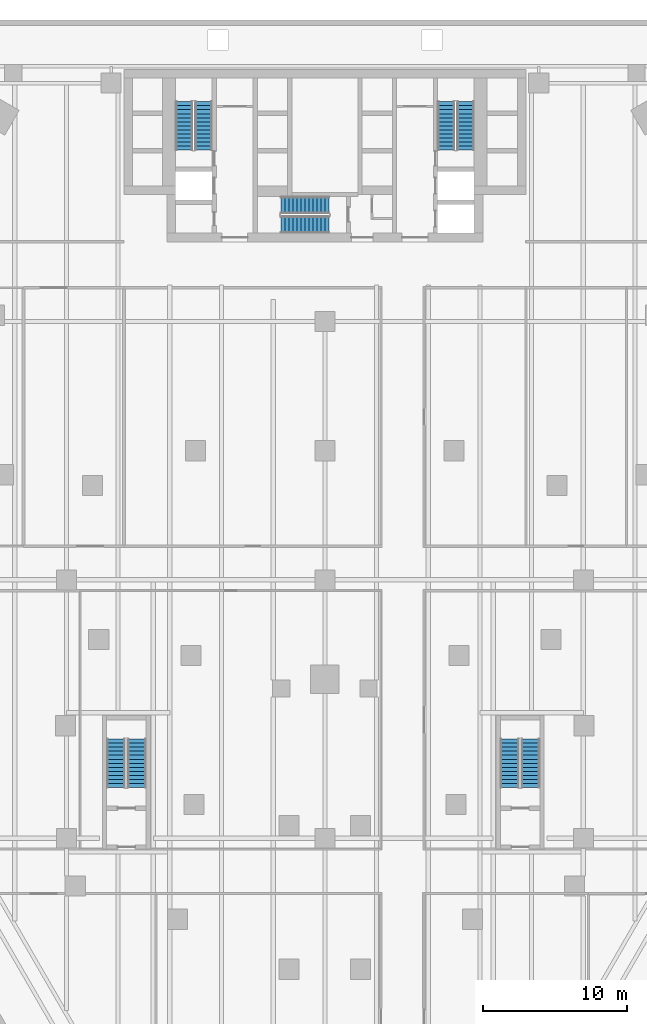
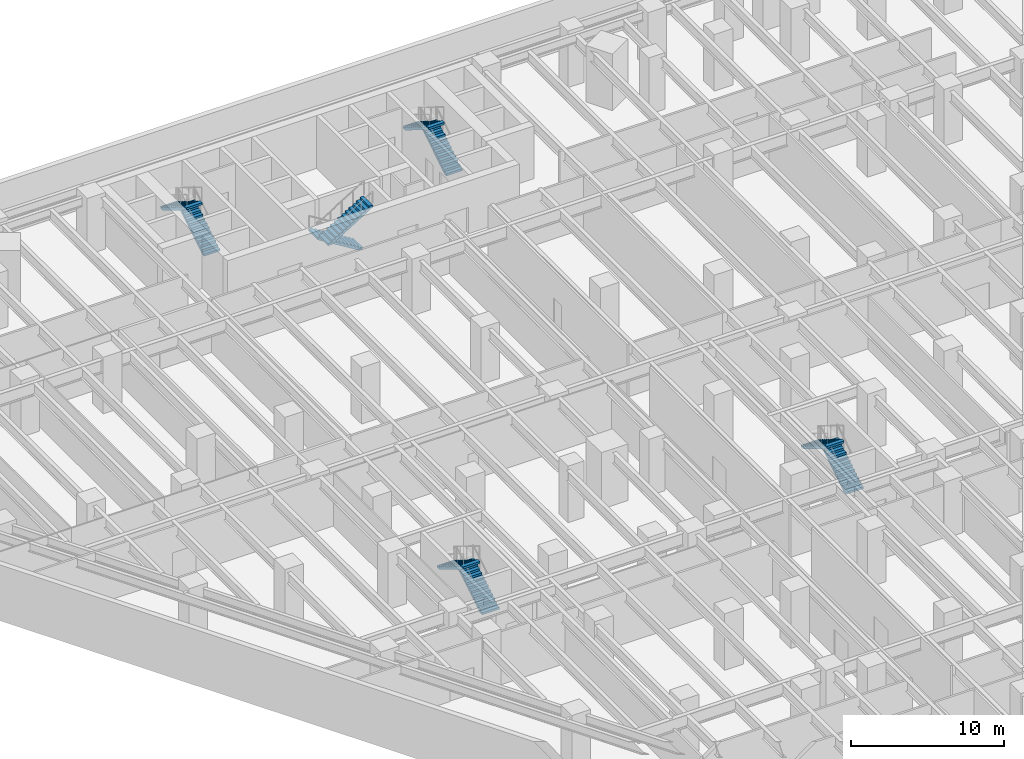
# One storey, part 18 of 20: 10 stair flights, 5 elements without a shape of their own.
"""IFC4 building model written with IfcOpenShell, lengths in metres."""

from ifc_helpers import new_model, si_unit, direction, frame, origin, place, context, subcontext, project, spatial, polyline, outline, extrude, material, type_object, element, aggregate, save


model = new_model("IFC4")

# Units and contexts
model_context = context("Model", 3, precision=1e-05, world=origin(), true_north=direction((0.0, 1.0)))
body_context = subcontext(model_context, "Body", "Model", "MODEL_VIEW")
ifc_project = project(units=[si_unit("LENGTHUNIT", "METRE"), si_unit("AREAUNIT", "SQUARE_METRE"), si_unit("VOLUMEUNIT", "CUBIC_METRE"), si_unit("PLANEANGLEUNIT", "RADIAN"), si_unit("MASSUNIT", "GRAM", prefix="KILO")], contexts=[model_context])

# Site, building, storey
site_placement = place(None, origin())
site = spatial("IfcSite", under=ifc_project, at=site_placement, CompositionType="ELEMENT")
building_placement = place(site_placement, origin())
building = spatial("IfcBuilding", under=site, at=building_placement, Name="Aloe Facet Convention Tower", CompositionType="ELEMENT")
storey_placement = place(building_placement, frame((0.0, 0.0, -4.5)))
storey = spatial("IfcBuildingStorey", under=building, at=storey_placement, Name="B1", CompositionType="ELEMENT", Elevation=-4.5)

# Stair, stair flights
ifc_material_1 = material(Name="Concrete C50/60", Category="concrete")
stair_type_1 = type_object("IfcStairType", Name="CR-ST-26R", PredefinedType="HALF_TURN_STAIR", material=ifc_material_1)
stair_1_placement = place(storey_placement, origin())
stair_1 = element("IfcStair", 1, at=stair_1_placement, inside=storey, type_object=stair_type_1, Name="B1 Protected exit stair ST1", PredefinedType="HALF_TURN_STAIR")
ifc_material_2 = material(Name="Concrete C50/60", Category="concrete")
stair_flight_type_1 = type_object("IfcStairFlightType", Name="CR-SFL-26R", PredefinedType="STRAIGHT", material=ifc_material_2)
stair_flight_1_placement = place(storey_placement, frame((71.550048828125, 128.949951171875, 0.0), z_axis=(0.0, 0.0, 1.0), x_axis=(0.0, 1.0, 0.0)))
stair_flight_1 = element("IfcStairFlight", 2, at=stair_flight_1_placement, type_object=stair_flight_type_1, Name="ST1 flight 1", NumberOfRisers=13, NumberOfTreads=12, PredefinedType="STRAIGHT", RiserHeight=0.173076923, TreadLength=0.28, context=body_context, shape_type="SweptSolid", body=[
    extrude(outline(polyline([(0.0, 0.0), (0.0, 0.173095703125), (0.280029296875, 0.173095703125), (0.280029296875, 0.34619140625), (0.56005859375, 0.34619140625), (0.56005859375, 0.519287109375), (0.840087890625, 0.519287109375), (0.840087890625, 0.6923828125), (1.1201171875, 0.6923828125), (1.1201171875, 0.865478515625), (1.39990234375, 0.865478515625), (1.39990234375, 1.03857421875), (1.679931640625, 1.03857421875), (1.679931640625, 1.21142578125), (1.9599609375, 1.21142578125), (1.9599609375, 1.384521484375), (2.239990234375, 1.384521484375), (2.239990234375, 1.5576171875), (2.52001953125, 1.5576171875), (2.52001953125, 1.730712890625), (2.800048828125, 1.730712890625), (2.800048828125, 1.90380859375), (3.080078125, 1.90380859375), (3.080078125, 2.076904296875), (3.360107421875, 2.076904296875), (3.360107421875, 2.25), (3.360107421875, 1.900634765625), (0.28515625, 0.0), (0.0, 0.0)])), frame((0.0, 0.60009765625, 0.0), z_axis=(0.0, -1.0, 0.0), x_axis=(1.0, 0.0, 0.0)), (0.0, 0.0, 1.0), 1.199951171875),
])
stair_flight_2_placement = place(storey_placement, frame((70.199951171875, 132.31005859375, 2.25), z_axis=(0.0, 0.0, 1.0), x_axis=(0.0, -1.0, 0.0)))
stair_flight_2 = element("IfcStairFlight", 3, at=stair_flight_2_placement, type_object=stair_flight_type_1, Name="ST1 flight 2", NumberOfRisers=13, NumberOfTreads=12, PredefinedType="STRAIGHT", RiserHeight=0.173076923, TreadLength=0.28, context=body_context, shape_type="SweptSolid", body=[
    extrude(outline(polyline([(0.0, 0.0), (0.0, 0.173095703125), (0.280029296875, 0.173095703125), (0.280029296875, 0.34619140625), (0.56005859375, 0.34619140625), (0.56005859375, 0.519287109375), (0.840087890625, 0.519287109375), (0.840087890625, 0.6923828125), (1.1201171875, 0.6923828125), (1.1201171875, 0.865478515625), (1.39990234375, 0.865478515625), (1.39990234375, 1.03857421875), (1.679931640625, 1.03857421875), (1.679931640625, 1.21142578125), (1.9599609375, 1.21142578125), (1.9599609375, 1.384521484375), (2.239990234375, 1.384521484375), (2.239990234375, 1.5576171875), (2.52001953125, 1.5576171875), (2.52001953125, 1.730712890625), (2.800048828125, 1.730712890625), (2.800048828125, 1.90380859375), (3.080078125, 1.90380859375), (3.080078125, 2.076904296875), (3.360107421875, 2.076904296875), (3.360107421875, 2.25), (3.360107421875, 1.900634765625), (0.28515625, 0.0), (0.0, 0.0)])), frame((0.0, 0.60009765625, 0.0), z_axis=(0.0, -1.0, 0.0), x_axis=(1.0, 0.0, 0.0)), (0.0, 0.0, 1.0), 1.199951171875),
])
aggregate(stair_1, [stair_flight_1, stair_flight_2])

stair_2_placement = place(storey_placement, origin())
stair_2 = element("IfcStair", 4, at=stair_2_placement, inside=storey, type_object=stair_type_1, Name="B1 Protected exit stair ST2", PredefinedType="HALF_TURN_STAIR")
stair_flight_3_placement = place(storey_placement, frame((89.800048828125, 128.949951171875, 0.0), z_axis=(0.0, 0.0, 1.0), x_axis=(0.0, 1.0, 0.0)))
stair_flight_3 = element("IfcStairFlight", 5, at=stair_flight_3_placement, type_object=stair_flight_type_1, Name="ST2 flight 1", NumberOfRisers=13, NumberOfTreads=12, PredefinedType="STRAIGHT", RiserHeight=0.173076923, TreadLength=0.28, context=body_context, shape_type="SweptSolid", body=[
    extrude(outline(polyline([(0.0, 0.0), (0.0, 0.173095703125), (0.280029296875, 0.173095703125), (0.280029296875, 0.34619140625), (0.56005859375, 0.34619140625), (0.56005859375, 0.519287109375), (0.840087890625, 0.519287109375), (0.840087890625, 0.6923828125), (1.1201171875, 0.6923828125), (1.1201171875, 0.865478515625), (1.39990234375, 0.865478515625), (1.39990234375, 1.03857421875), (1.679931640625, 1.03857421875), (1.679931640625, 1.21142578125), (1.9599609375, 1.21142578125), (1.9599609375, 1.384521484375), (2.239990234375, 1.384521484375), (2.239990234375, 1.5576171875), (2.52001953125, 1.5576171875), (2.52001953125, 1.730712890625), (2.800048828125, 1.730712890625), (2.800048828125, 1.90380859375), (3.080078125, 1.90380859375), (3.080078125, 2.076904296875), (3.360107421875, 2.076904296875), (3.360107421875, 2.25), (3.360107421875, 1.900634765625), (0.28515625, 0.0), (0.0, 0.0)])), frame((0.0, 0.60009765625, 0.0), z_axis=(0.0, -1.0, 0.0), x_axis=(1.0, 0.0, 0.0)), (0.0, 0.0, 1.0), 1.199951171875),
])
stair_flight_4_placement = place(storey_placement, frame((88.449951171875, 132.31005859375, 2.25), z_axis=(0.0, 0.0, 1.0), x_axis=(0.0, -1.0, 0.0)))
stair_flight_4 = element("IfcStairFlight", 6, at=stair_flight_4_placement, type_object=stair_flight_type_1, Name="ST2 flight 2", NumberOfRisers=13, NumberOfTreads=12, PredefinedType="STRAIGHT", RiserHeight=0.173076923, TreadLength=0.28, context=body_context, shape_type="SweptSolid", body=[
    extrude(outline(polyline([(0.0, 0.0), (0.0, 0.173095703125), (0.280029296875, 0.173095703125), (0.280029296875, 0.34619140625), (0.56005859375, 0.34619140625), (0.56005859375, 0.519287109375), (0.840087890625, 0.519287109375), (0.840087890625, 0.6923828125), (1.1201171875, 0.6923828125), (1.1201171875, 0.865478515625), (1.39990234375, 0.865478515625), (1.39990234375, 1.03857421875), (1.679931640625, 1.03857421875), (1.679931640625, 1.21142578125), (1.9599609375, 1.21142578125), (1.9599609375, 1.384521484375), (2.239990234375, 1.384521484375), (2.239990234375, 1.5576171875), (2.52001953125, 1.5576171875), (2.52001953125, 1.730712890625), (2.800048828125, 1.730712890625), (2.800048828125, 1.90380859375), (3.080078125, 1.90380859375), (3.080078125, 2.076904296875), (3.360107421875, 2.076904296875), (3.360107421875, 2.25), (3.360107421875, 1.900634765625), (0.28515625, 0.0), (0.0, 0.0)])), frame((0.0, 0.60009765625, 0.0), z_axis=(0.0, -1.0, 0.0), x_axis=(1.0, 0.0, 0.0)), (0.0, 0.0, 1.0), 1.199951171875),
])
aggregate(stair_2, [stair_flight_3, stair_flight_4])

stair_3_placement = place(storey_placement, origin())
stair_3 = element("IfcStair", 7, at=stair_3_placement, inside=storey, type_object=stair_type_1, Name="B1 Protected exit stair ST3", PredefinedType="HALF_TURN_STAIR")
stair_flight_5_placement = place(storey_placement, frame((80.300048828125, 125.10009765625, 0.0), z_axis=(0.0, 0.0, 1.0), x_axis=(-1.0, 0.0, 0.0)))
stair_flight_5 = element("IfcStairFlight", 8, at=stair_flight_5_placement, type_object=stair_flight_type_1, Name="ST3 flight 1", NumberOfRisers=13, NumberOfTreads=12, PredefinedType="STRAIGHT", RiserHeight=0.173076923, TreadLength=0.28, context=body_context, shape_type="SweptSolid", body=[
    extrude(outline(polyline([(0.0, 0.0), (0.0, 0.173095703125), (0.280029296875, 0.173095703125), (0.280029296875, 0.34619140625), (0.56005859375, 0.34619140625), (0.56005859375, 0.519287109375), (0.840087890625, 0.519287109375), (0.840087890625, 0.6923828125), (1.1201171875, 0.6923828125), (1.1201171875, 0.865478515625), (1.39990234375, 0.865478515625), (1.39990234375, 1.03857421875), (1.679931640625, 1.03857421875), (1.679931640625, 1.21142578125), (1.9599609375, 1.21142578125), (1.9599609375, 1.384521484375), (2.239990234375, 1.384521484375), (2.239990234375, 1.5576171875), (2.52001953125, 1.5576171875), (2.52001953125, 1.730712890625), (2.800048828125, 1.730712890625), (2.800048828125, 1.90380859375), (3.080078125, 1.90380859375), (3.080078125, 2.076904296875), (3.360107421875, 2.076904296875), (3.360107421875, 2.25), (3.360107421875, 1.900634765625), (0.28515625, 0.0), (0.0, 0.0)])), frame((0.0, 0.60009765625, 0.0), z_axis=(0.0, -1.0, 0.0), x_axis=(1.0, 0.0, 0.0)), (0.0, 0.0, 1.0), 1.199951171875),
])
stair_flight_6_placement = place(storey_placement, frame((76.93994140625, 123.75, 2.25), z_axis=(0.0, 0.0, 1.0), x_axis=(1.0, 0.0, 0.0)))
stair_flight_6 = element("IfcStairFlight", 9, at=stair_flight_6_placement, type_object=stair_flight_type_1, Name="ST3 flight 2", NumberOfRisers=13, NumberOfTreads=12, PredefinedType="STRAIGHT", RiserHeight=0.173076923, TreadLength=0.28, context=body_context, shape_type="SweptSolid", body=[
    extrude(outline(polyline([(0.0, 0.0), (0.0, 0.173095703125), (0.280029296875, 0.173095703125), (0.280029296875, 0.34619140625), (0.56005859375, 0.34619140625), (0.56005859375, 0.519287109375), (0.840087890625, 0.519287109375), (0.840087890625, 0.6923828125), (1.1201171875, 0.6923828125), (1.1201171875, 0.865478515625), (1.39990234375, 0.865478515625), (1.39990234375, 1.03857421875), (1.679931640625, 1.03857421875), (1.679931640625, 1.21142578125), (1.9599609375, 1.21142578125), (1.9599609375, 1.384521484375), (2.239990234375, 1.384521484375), (2.239990234375, 1.5576171875), (2.52001953125, 1.5576171875), (2.52001953125, 1.730712890625), (2.800048828125, 1.730712890625), (2.800048828125, 1.90380859375), (3.080078125, 1.90380859375), (3.080078125, 2.076904296875), (3.360107421875, 2.076904296875), (3.360107421875, 2.25), (3.360107421875, 1.900634765625), (0.28515625, 0.0), (0.0, 0.0)])), frame((0.0, 0.60009765625, 0.0), z_axis=(0.0, -1.0, 0.0), x_axis=(1.0, 0.0, 0.0)), (0.0, 0.0, 1.0), 1.199951171875),
])
aggregate(stair_3, [stair_flight_5, stair_flight_6])

ifc_material_3 = material(Name="Concrete C50/60", Category="concrete")
stair_type_2 = type_object("IfcStairType", Name="CR-ST-26R-W1300", PredefinedType="HALF_TURN_STAIR", material=ifc_material_3)
stair_4_placement = place(storey_placement, origin())
stair_4 = element("IfcStair", 10, at=stair_4_placement, inside=storey, type_object=stair_type_2, Name="B1 Protected exit stair ST6", PredefinedType="HALF_TURN_STAIR")
ifc_material_4 = material(Name="Concrete C50/60", Category="concrete")
stair_flight_type_2 = type_object("IfcStairFlightType", Name="CR-SFL-26R-W1300", PredefinedType="STRAIGHT", material=ifc_material_4)
stair_flight_7_placement = place(storey_placement, frame((94.324951171875, 84.550048828125, 0.0), z_axis=(0.0, 0.0, 1.0), x_axis=(0.0, 1.0, 0.0)))
stair_flight_7 = element("IfcStairFlight", 11, at=stair_flight_7_placement, type_object=stair_flight_type_2, Name="ST6 flight 1", NumberOfRisers=13, NumberOfTreads=12, PredefinedType="STRAIGHT", RiserHeight=0.173076923, TreadLength=0.28, context=body_context, shape_type="SweptSolid", body=[
    extrude(outline(polyline([(0.0, 0.0), (0.0, 0.173095703125), (0.280029296875, 0.173095703125), (0.280029296875, 0.34619140625), (0.56005859375, 0.34619140625), (0.56005859375, 0.519287109375), (0.840087890625, 0.519287109375), (0.840087890625, 0.6923828125), (1.1201171875, 0.6923828125), (1.1201171875, 0.865478515625), (1.39990234375, 0.865478515625), (1.39990234375, 1.03857421875), (1.679931640625, 1.03857421875), (1.679931640625, 1.21142578125), (1.9599609375, 1.21142578125), (1.9599609375, 1.384521484375), (2.239990234375, 1.384521484375), (2.239990234375, 1.5576171875), (2.52001953125, 1.5576171875), (2.52001953125, 1.730712890625), (2.800048828125, 1.730712890625), (2.800048828125, 1.90380859375), (3.080078125, 1.90380859375), (3.080078125, 2.076904296875), (3.360107421875, 2.076904296875), (3.360107421875, 2.25), (3.360107421875, 1.900634765625), (0.28515625, 0.0), (0.0, 0.0)])), frame((0.0, 0.64990234375, 0.0), z_axis=(0.0, -1.0, 0.0), x_axis=(1.0, 0.0, 0.0)), (0.0, 0.0, 1.0), 1.300048828125),
])
stair_flight_8_placement = place(storey_placement, frame((92.875, 87.909912109375, 2.25), z_axis=(0.0, 0.0, 1.0), x_axis=(0.0, -1.0, 0.0)))
stair_flight_8 = element("IfcStairFlight", 12, at=stair_flight_8_placement, type_object=stair_flight_type_2, Name="ST6 flight 2", NumberOfRisers=13, NumberOfTreads=12, PredefinedType="STRAIGHT", RiserHeight=0.173076923, TreadLength=0.28, context=body_context, shape_type="SweptSolid", body=[
    extrude(outline(polyline([(0.0, 0.0), (0.0, 0.173095703125), (0.280029296875, 0.173095703125), (0.280029296875, 0.34619140625), (0.56005859375, 0.34619140625), (0.56005859375, 0.519287109375), (0.840087890625, 0.519287109375), (0.840087890625, 0.6923828125), (1.1201171875, 0.6923828125), (1.1201171875, 0.865478515625), (1.39990234375, 0.865478515625), (1.39990234375, 1.03857421875), (1.679931640625, 1.03857421875), (1.679931640625, 1.21142578125), (1.9599609375, 1.21142578125), (1.9599609375, 1.384521484375), (2.239990234375, 1.384521484375), (2.239990234375, 1.5576171875), (2.52001953125, 1.5576171875), (2.52001953125, 1.730712890625), (2.800048828125, 1.730712890625), (2.800048828125, 1.90380859375), (3.080078125, 1.90380859375), (3.080078125, 2.076904296875), (3.360107421875, 2.076904296875), (3.360107421875, 2.25), (3.360107421875, 1.900634765625), (0.28515625, 0.0), (0.0, 0.0)])), frame((0.0, 0.64990234375, 0.0), z_axis=(0.0, -1.0, 0.0), x_axis=(1.0, 0.0, 0.0)), (0.0, 0.0, 1.0), 1.300048828125),
])
aggregate(stair_4, [stair_flight_7, stair_flight_8])

stair_5_placement = place(storey_placement, origin())
stair_5 = element("IfcStair", 13, at=stair_5_placement, inside=storey, type_object=stair_type_2, Name="B1 Protected exit stair ST7", PredefinedType="HALF_TURN_STAIR")
stair_flight_9_placement = place(storey_placement, frame((66.89990234375, 84.550048828125, 0.0), z_axis=(0.0, 0.0, 1.0), x_axis=(0.0, 1.0, 0.0)))
stair_flight_9 = element("IfcStairFlight", 14, at=stair_flight_9_placement, type_object=stair_flight_type_2, Name="ST7 flight 1", NumberOfRisers=13, NumberOfTreads=12, PredefinedType="STRAIGHT", RiserHeight=0.173076923, TreadLength=0.28, context=body_context, shape_type="SweptSolid", body=[
    extrude(outline(polyline([(0.0, 0.0), (0.0, 0.173095703125), (0.280029296875, 0.173095703125), (0.280029296875, 0.34619140625), (0.56005859375, 0.34619140625), (0.56005859375, 0.519287109375), (0.840087890625, 0.519287109375), (0.840087890625, 0.6923828125), (1.1201171875, 0.6923828125), (1.1201171875, 0.865478515625), (1.39990234375, 0.865478515625), (1.39990234375, 1.03857421875), (1.679931640625, 1.03857421875), (1.679931640625, 1.21142578125), (1.9599609375, 1.21142578125), (1.9599609375, 1.384521484375), (2.239990234375, 1.384521484375), (2.239990234375, 1.5576171875), (2.52001953125, 1.5576171875), (2.52001953125, 1.730712890625), (2.800048828125, 1.730712890625), (2.800048828125, 1.90380859375), (3.080078125, 1.90380859375), (3.080078125, 2.076904296875), (3.360107421875, 2.076904296875), (3.360107421875, 2.25), (3.360107421875, 1.900634765625), (0.28515625, 0.0), (0.0, 0.0)])), frame((0.0, 0.64990234375, 0.0), z_axis=(0.0, -1.0, 0.0), x_axis=(1.0, 0.0, 0.0)), (0.0, 0.0, 1.0), 1.300048828125),
])
stair_flight_10_placement = place(storey_placement, frame((65.449951171875, 87.909912109375, 2.25), z_axis=(0.0, 0.0, 1.0), x_axis=(0.0, -1.0, 0.0)))
stair_flight_10 = element("IfcStairFlight", 15, at=stair_flight_10_placement, type_object=stair_flight_type_2, Name="ST7 flight 2", NumberOfRisers=13, NumberOfTreads=12, PredefinedType="STRAIGHT", RiserHeight=0.173076923, TreadLength=0.28, context=body_context, shape_type="SweptSolid", body=[
    extrude(outline(polyline([(0.0, 0.0), (0.0, 0.173095703125), (0.280029296875, 0.173095703125), (0.280029296875, 0.34619140625), (0.56005859375, 0.34619140625), (0.56005859375, 0.519287109375), (0.840087890625, 0.519287109375), (0.840087890625, 0.6923828125), (1.1201171875, 0.6923828125), (1.1201171875, 0.865478515625), (1.39990234375, 0.865478515625), (1.39990234375, 1.03857421875), (1.679931640625, 1.03857421875), (1.679931640625, 1.21142578125), (1.9599609375, 1.21142578125), (1.9599609375, 1.384521484375), (2.239990234375, 1.384521484375), (2.239990234375, 1.5576171875), (2.52001953125, 1.5576171875), (2.52001953125, 1.730712890625), (2.800048828125, 1.730712890625), (2.800048828125, 1.90380859375), (3.080078125, 1.90380859375), (3.080078125, 2.076904296875), (3.360107421875, 2.076904296875), (3.360107421875, 2.25), (3.360107421875, 1.900634765625), (0.28515625, 0.0), (0.0, 0.0)])), frame((0.0, 0.64990234375, 0.0), z_axis=(0.0, -1.0, 0.0), x_axis=(1.0, 0.0, 0.0)), (0.0, 0.0, 1.0), 1.300048828125),
])
aggregate(stair_5, [stair_flight_9, stair_flight_10])

save(model, "model.ifc")
